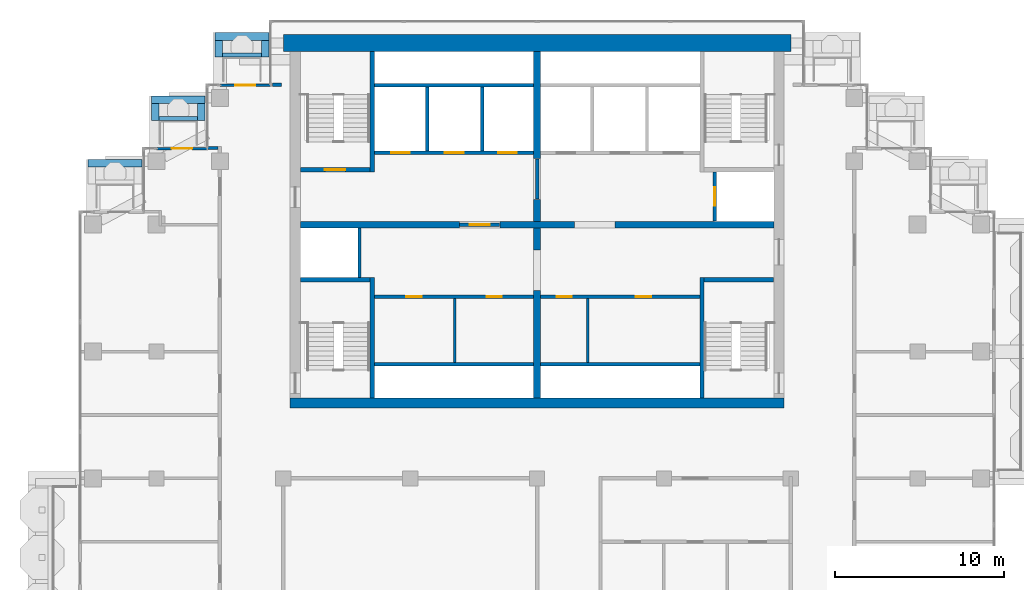
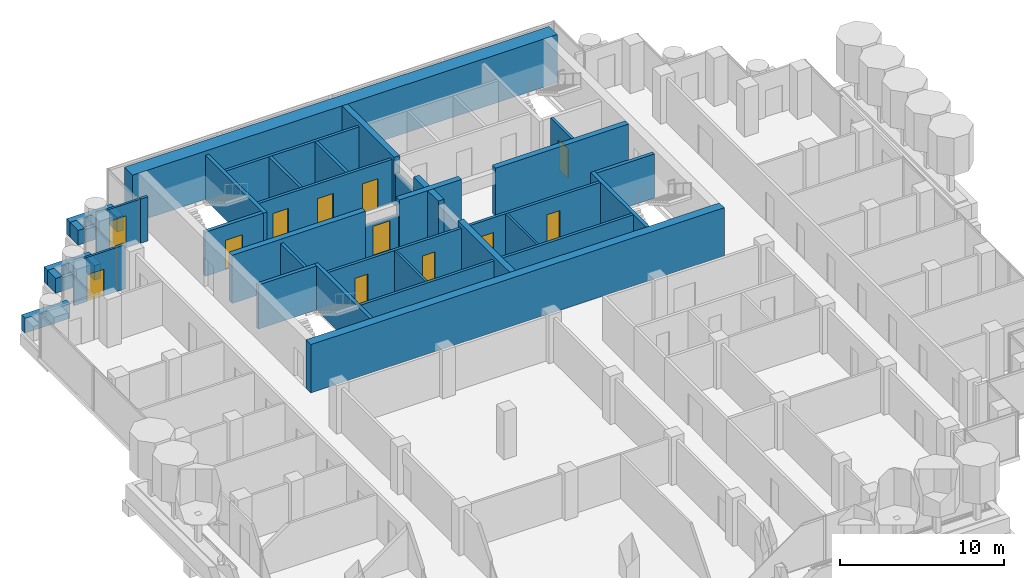
# One storey, part 13 of 19: 42 walls, 12 doors, 12 openings.
"""IFC4 building model written with IfcOpenShell, lengths in metres."""

from ifc_helpers import new_model, si_unit, direction, frame, frame_2d, origin, place, context, subcontext, project, spatial, rectangle, extrude, material, layer, layer_set, type_object, element, fill, save


model = new_model("IFC4")

# Units and contexts
model_context = context("Model", 3, precision=1e-05, world=origin(), true_north=direction((0.0, 1.0)))
body_context = subcontext(model_context, "Body", "Model", "MODEL_VIEW")
ifc_project = project(units=[si_unit("LENGTHUNIT", "METRE"), si_unit("AREAUNIT", "SQUARE_METRE"), si_unit("VOLUMEUNIT", "CUBIC_METRE"), si_unit("PLANEANGLEUNIT", "RADIAN"), si_unit("MASSUNIT", "GRAM", prefix="KILO")], contexts=[model_context])

# Site, building, storey
site_placement = place(None, origin())
site = spatial("IfcSite", under=ifc_project, at=site_placement, CompositionType="ELEMENT")
building_placement = place(site_placement, origin())
building = spatial("IfcBuilding", under=site, at=building_placement, Name="Pilkhan Gate Tower", CompositionType="ELEMENT")
storey_placement = place(building_placement, frame((0.0, 0.0, 217.5)))
storey = spatial("IfcBuildingStorey", under=building, at=storey_placement, Name="L56", CompositionType="ELEMENT", Elevation=217.5)

# Walls
ifc_material_1 = material(Name="Concrete C40/50", Category="concrete")
ifc_layer_1 = layer(ifc_material_1, 0.25)
ifc_layer_set_1 = layer_set([ifc_layer_1], Name="Balcony planter BP250")
wall_type_1 = type_object("IfcWallType", Name="Balcony planter BP250", PredefinedType="USERDEFINED", material=ifc_layer_set_1)
wall_1_placement = place(storey_placement, frame((56.39990234375, 92.52490234375, 0.0), z_axis=(0.0, 0.0, 1.0), x_axis=(1.0, 0.0, 0.0)))
element("IfcWall", 1, at=wall_1_placement, inside=storey, type_object=wall_type_1, Name="Balcony planter L56 N", ObjectType="BALCONY PLANTER", PredefinedType="USERDEFINED", context=body_context, shape_type="SweptSolid", body=[
    extrude(rectangle(XDim=2.300048828125, YDim=0.25, at=frame_2d((1.14990234375, 0.0))), origin(), (0.0, 0.0, 1.0), 1.0),
])
wall_2_placement = place(storey_placement, frame((52.64990234375, 88.77490234375, 0.0), z_axis=(0.0, 0.0, 1.0), x_axis=(1.0, 0.0, 0.0)))
element("IfcWall", 2, at=wall_2_placement, inside=storey, type_object=wall_type_1, Name="Balcony planter L56 N", ObjectType="BALCONY PLANTER", PredefinedType="USERDEFINED", context=body_context, shape_type="SweptSolid", body=[
    extrude(rectangle(XDim=2.280029296875, YDim=0.25, at=frame_2d((1.14013671875, 0.0))), origin(), (0.0, 0.0, 1.0), 1.0),
])
ifc_material_2 = material(Name="Board-marked Concrete C40/50", Category="concrete")
ifc_layer_2 = layer(ifc_material_2, 0.449951171875)
ifc_layer_set_2 = layer_set([ifc_layer_2], Name="Balcony planter lip BL450")
wall_type_2 = type_object("IfcWallType", Name="Balcony planter lip BL450", PredefinedType="USERDEFINED", material=ifc_layer_set_2)
wall_3_placement = place(storey_placement, frame((55.949951171875, 93.625, 0.0), z_axis=(0.0, 0.0, 1.0), x_axis=(1.0, 0.0, 0.0)))
element("IfcWall", 3, at=wall_3_placement, inside=storey, type_object=wall_type_2, Name="Balcony planter L56 N", ObjectType="BALCONY PLANTER", PredefinedType="USERDEFINED", context=body_context, shape_type="SweptSolid", body=[
    extrude(rectangle(XDim=3.199951171875, YDim=0.449951171875, at=frame_2d((1.60009765625, 0.0))), origin(), (0.0, 0.0, 1.0), 1.10009765625),
])
for number, where, z_axis, x_axis, name in (
    (4, (56.175048828125, 92.39990234375, 0.0), (0.0, 0.0, 1.0), (0.0, 1.0, 0.0), "Balcony planter L56 N"),
    (5, (58.925048828125, 92.39990234375, 0.0), (0.0, 0.0, 1.0), (0.0, 1.0, 0.0), "Balcony planter L56 N"),
):
    element("IfcWall", number, at=place(storey_placement, frame(where, z_axis=z_axis, x_axis=x_axis)), inside=storey, type_object=wall_type_2, Name=name, ObjectType="BALCONY PLANTER", PredefinedType="USERDEFINED", context=body_context, shape_type="SweptSolid", body=[
        extrude(rectangle(XDim=1.0, YDim=0.449951171875, at=frame_2d((0.5, 0.0))), origin(), (0.0, 0.0, 1.0), 1.10009765625),
    ])
wall_4_placement = place(storey_placement, frame((52.199951171875, 89.875, 0.0), z_axis=(0.0, 0.0, 1.0), x_axis=(1.0, 0.0, 0.0)))
element("IfcWall", 6, at=wall_4_placement, inside=storey, type_object=wall_type_2, Name="Balcony planter L56 N", ObjectType="BALCONY PLANTER", PredefinedType="USERDEFINED", context=body_context, shape_type="SweptSolid", body=[
    extrude(rectangle(XDim=3.179931640625, YDim=0.449951171875, at=frame_2d((1.58984375, 0.0))), origin(), (0.0, 0.0, 1.0), 1.10009765625),
])
for number, where, z_axis, x_axis, name in (
    (7, (52.425048828125, 88.64990234375, 0.0), (0.0, 0.0, 1.0), (0.0, 1.0, 0.0), "Balcony planter L56 N"),
    (8, (55.155029296875, 88.64990234375, 0.0), (0.0, 0.0, 1.0), (0.0, 1.0, 0.0), "Balcony planter L56 N"),
):
    element("IfcWall", number, at=place(storey_placement, frame(where, z_axis=z_axis, x_axis=x_axis)), inside=storey, type_object=wall_type_2, Name=name, ObjectType="BALCONY PLANTER", PredefinedType="USERDEFINED", context=body_context, shape_type="SweptSolid", body=[
        extrude(rectangle(XDim=1.0, YDim=0.449951171875, at=frame_2d((0.5, 0.0))), origin(), (0.0, 0.0, 1.0), 1.10009765625),
    ])
wall_5_placement = place(storey_placement, frame((48.449951171875, 86.125, 0.0), z_axis=(0.0, 0.0, 1.0), x_axis=(1.0, 0.0, 0.0)))
element("IfcWall", 9, at=wall_5_placement, inside=storey, type_object=wall_type_2, Name="Balcony planter L56 N", ObjectType="BALCONY PLANTER", PredefinedType="USERDEFINED", context=body_context, shape_type="SweptSolid", body=[
    extrude(rectangle(XDim=3.179931640625, YDim=0.449951171875, at=frame_2d((1.58984375, 0.0))), origin(), (0.0, 0.0, 1.0), 1.10009765625),
])
ifc_material_3 = material(Name="Concrete C50/60", Category="concrete")
ifc_layer_3 = layer(ifc_material_3, 1.0)
ifc_layer_set_3 = layer_set([ifc_layer_3], Name="Core wall CW1000 C50/60")
wall_type_3 = type_object("IfcWallType", Name="Core wall CW1000 C50/60", PredefinedType="SHEAR", material=ifc_layer_set_3)
wall_6_placement = place(storey_placement, frame((90.0, 93.25, 0.0), z_axis=(0.0, 0.0, 1.0), x_axis=(-1.0, 0.0, 0.0)))
element("IfcWall", 10, at=wall_6_placement, inside=storey, type_object=wall_type_3, Name="Core wall N L56", PredefinedType="SHEAR", context=body_context, shape_type="SweptSolid", body=[
    extrude(rectangle(XDim=30.0, YDim=1.0, at=frame_2d((15.0, 0.0))), origin(), (0.0, 0.0, 1.0), 3.60009765625),
])
ifc_layer_4 = layer(ifc_material_3, 0.60009765625)
ifc_layer_set_4 = layer_set([ifc_layer_4], Name="Core wall CW600 C50/60")
wall_type_4 = type_object("IfcWallType", Name="Core wall CW600 C50/60", PredefinedType="SHEAR", material=ifc_layer_set_4)
wall_7_placement = place(storey_placement, frame((60.39990234375, 71.949951171875, 0.0), z_axis=(0.0, 0.0, 1.0), x_axis=(1.0, 0.0, 0.0)))
element("IfcWall", 11, at=wall_7_placement, inside=storey, type_object=wall_type_4, Name="Core wall S L56", PredefinedType="SHEAR", context=body_context, shape_type="SweptSolid", body=[
    extrude(rectangle(XDim=29.2001953125, YDim=0.60009765625, at=frame_2d((14.60009765625, 0.0))), origin(), (0.0, 0.0, 1.0), 3.60009765625),
])
ifc_material_4 = material(Name="Dense blockwork", Category="masonry")
ifc_layer_5 = layer(ifc_material_4, 0.199951171875)
ifc_layer_set_5 = layer_set([ifc_layer_5], Name="Corridor wall FW200")
wall_type_5 = type_object("IfcWallType", Name="Corridor wall FW200", PredefinedType="PARTITIONING", material=ifc_layer_set_5)
wall_8_placement = place(storey_placement, frame((55.510009765625, 87.030029296875, 0.0), z_axis=(0.0, 0.0, 1.0), x_axis=(1.0, 0.0, 0.0)))
element("IfcWall", 12, at=wall_8_placement, inside=storey, type_object=wall_type_5, Name="Partition L56", PredefinedType="PARTITIONING", context=body_context, shape_type="SweptSolid", body=[
    extrude(rectangle(XDim=0.639892578125, YDim=0.199951171875, at=frame_2d((0.31982421875, 0.0))), origin(), (0.0, 0.0, 1.0), 3.300048828125),
])
wall_9_placement = place(storey_placement, frame((59.35498046875, 90.764892578125, 0.0), z_axis=(0.0, 0.0, 1.0), x_axis=(1.0, 0.0, 0.0)))
element("IfcWall", 13, at=wall_9_placement, inside=storey, type_object=wall_type_5, Name="Partition L56", PredefinedType="PARTITIONING", context=body_context, shape_type="SweptSolid", body=[
    extrude(rectangle(XDim=0.52490234375, YDim=0.199951171875, at=frame_2d((0.262451171875, 0.0))), origin(), (0.0, 0.0, 1.0), 3.300048828125),
])

# Wall, opening, door
ifc_material_5 = material(Name="Pale anodised aluminium, clear laminated glazing", Category="aluminium")
ifc_layer_6 = layer(ifc_material_5, 0.14990234375)
ifc_layer_set_6 = layer_set([ifc_layer_6], Name="Facade infill wall IW150")
wall_type_6 = type_object("IfcWallType", Name="Facade infill wall IW150", PredefinedType="SOLIDWALL", material=ifc_layer_set_6)
wall_10_placement = place(storey_placement, frame((56.25, 90.75, 0.0), z_axis=(0.0, 0.0, 1.0), x_axis=(1.0, 0.0, 0.0)))
wall_10 = element("IfcWall", 14, at=wall_10_placement, inside=storey, type_object=wall_type_6, Name="Infill wall L56 N", PredefinedType="SOLIDWALL", context=body_context, shape_type="SweptSolid", body=[
    extrude(rectangle(XDim=3.0, YDim=0.14990234375, at=frame_2d((1.5, 0.0))), origin(), (0.0, 0.0, 1.0), 3.300048828125),
])
opening_1_placement = place(wall_10_placement, frame((0.89990234375, 0.0, 0.0)))
opening_1 = element("IfcOpeningElement", 15, at=opening_1_placement, cuts=wall_10, Name="Opening D1", PredefinedType="OPENING", context=body_context, shape_type="SweptSolid", body=[
    extrude(rectangle(XDim=1.199951171875, YDim=2.39990234375, at=frame_2d((0.60009765625, 1.199951171875))), frame((0.0, 0.0849609375, 0.0), z_axis=(0.0, -1.0, 0.0), x_axis=(1.0, 0.0, 0.0)), (0.0, 0.0, 1.0), 0.169921875),
])
ifc_material_6 = material(Name="Pale anodised aluminium, clear glazing", Category="aluminium")
door_type_1 = type_object("IfcDoorType", Name="Balcony door D1 1200x2400", OperationType="SINGLE_SWING_LEFT", PredefinedType="DOOR", material=ifc_material_6)
door_1_placement = place(opening_1_placement, origin())
door_1 = element("IfcDoor", 16, at=door_1_placement, inside=storey, type_object=door_type_1, Name="Balcony door L56", OperationType="SINGLE_SWING_LEFT", OverallHeight=2.39990234375, OverallWidth=1.199951171875, PredefinedType="DOOR", context=body_context, shape_type="SweptSolid", body=[
    extrude(rectangle(XDim=1.199951171875, YDim=2.39990234375, at=frame_2d((0.60009765625, 1.199951171875))), frame((0.0, 0.02490234375, 0.0), z_axis=(0.0, -1.0, 0.0), x_axis=(1.0, 0.0, 0.0)), (0.0, 0.0, 1.0), 0.050048828125),
])
fill(opening_1, door_1)

wall_11_placement = place(storey_placement, frame((52.5, 87.0, 0.0), z_axis=(0.0, 0.0, 1.0), x_axis=(1.0, 0.0, 0.0)))
wall_11 = element("IfcWall", 17, at=wall_11_placement, inside=storey, type_object=wall_type_6, Name="Infill wall L56 N", PredefinedType="SOLIDWALL", context=body_context, shape_type="SweptSolid", body=[
    extrude(rectangle(XDim=3.0, YDim=0.14990234375, at=frame_2d((1.5, 0.0))), origin(), (0.0, 0.0, 1.0), 3.300048828125),
])
opening_2_placement = place(wall_11_placement, frame((0.89990234375, 0.0, 0.0)))
opening_2 = element("IfcOpeningElement", 18, at=opening_2_placement, cuts=wall_11, Name="Opening D1L", PredefinedType="OPENING", context=body_context, shape_type="SweptSolid", body=[
    extrude(rectangle(XDim=1.199951171875, YDim=2.0, at=frame_2d((0.60009765625, 1.0))), frame((0.0, 0.0849609375, 0.0), z_axis=(0.0, -1.0, 0.0), x_axis=(1.0, 0.0, 0.0)), (0.0, 0.0, 1.0), 0.169921875),
])
door_type_2 = type_object("IfcDoorType", Name="Balcony door D1L 1200x2000", OperationType="SINGLE_SWING_LEFT", PredefinedType="DOOR", material=ifc_material_6)
door_2_placement = place(opening_2_placement, origin())
door_2 = element("IfcDoor", 19, at=door_2_placement, inside=storey, type_object=door_type_2, Name="Balcony door L56", OperationType="SINGLE_SWING_LEFT", OverallHeight=2.0, OverallWidth=1.199951171875, PredefinedType="DOOR", context=body_context, shape_type="SweptSolid", body=[
    extrude(rectangle(XDim=1.199951171875, YDim=2.0, at=frame_2d((0.60009765625, 1.0))), frame((0.0, 0.02490234375, 0.0), z_axis=(0.0, -1.0, 0.0), x_axis=(1.0, 0.0, 0.0)), (0.0, 0.0, 1.0), 0.050048828125),
])
fill(opening_2, door_2)

# Walls
ifc_layer_7 = layer(ifc_material_4, 0.199951171875)
ifc_layer_set_7 = layer_set([ifc_layer_7], Name="Lobby wall LW200")
wall_type_7 = type_object("IfcWallType", Name="Lobby wall LW200", PredefinedType="PARTITIONING", material=ifc_layer_set_7)
for number, where, z_axis, x_axis, name in (
    (20, (65.375, 74.25, 0.0), (0.0, 0.0, 1.0), (1.0, 0.0, 0.0), "Partition L56"),
    (21, (75.2099609375, 74.25, 0.0), (0.0, 0.0, 1.0), (1.0, 0.0, 0.0), "Partition L56"),
):
    element("IfcWall", number, at=place(storey_placement, frame(where, z_axis=z_axis, x_axis=x_axis)), inside=storey, type_object=wall_type_7, Name=name, PredefinedType="PARTITIONING", context=body_context, shape_type="SweptSolid", body=[
        extrude(rectangle(XDim=9.4150390625, YDim=0.199951171875, at=frame_2d((4.70751953125, 0.0))), origin(), (0.0, 0.0, 1.0), 3.300048828125),
    ])

# Wall, openings, doors
wall_12_placement = place(storey_placement, frame((65.375, 78.25, 0.0), z_axis=(0.0, 0.0, 1.0), x_axis=(1.0, 0.0, 0.0)))
wall_12 = element("IfcWall", 22, at=wall_12_placement, inside=storey, type_object=wall_type_7, Name="Partition L56", PredefinedType="PARTITIONING", context=body_context, shape_type="SweptSolid", body=[
    extrude(rectangle(XDim=9.4150390625, YDim=0.199951171875, at=frame_2d((4.70751953125, 0.0))), origin(), (0.0, 0.0, 1.0), 3.300048828125),
])
opening_3_placement = place(wall_12_placement, frame((1.89990234375, 0.0, 0.0)))
opening_3 = element("IfcOpeningElement", 23, at=opening_3_placement, cuts=wall_12, Name="Opening L56-08", PredefinedType="OPENING", context=body_context, shape_type="SweptSolid", body=[
    extrude(rectangle(XDim=0.89990234375, YDim=2.199951171875, at=frame_2d((0.449951171875, 1.10009765625))), frame((0.0, 0.10986328125, 0.0), z_axis=(0.0, -1.0, 0.0), x_axis=(1.0, 0.0, 0.0)), (0.0, 0.0, 1.0), 0.219970703125),
])
opening_4_placement = place(wall_12_placement, frame((6.64990234375, 0.0, 0.0)))
opening_4 = element("IfcOpeningElement", 24, at=opening_4_placement, cuts=wall_12, Name="Opening L56-09", PredefinedType="OPENING", context=body_context, shape_type="SweptSolid", body=[
    extrude(rectangle(XDim=0.89990234375, YDim=2.199951171875, at=frame_2d((0.449951171875, 1.10009765625))), frame((0.0, 0.10986328125, 0.0), z_axis=(0.0, -1.0, 0.0), x_axis=(1.0, 0.0, 0.0)), (0.0, 0.0, 1.0), 0.219970703125),
])
ifc_material_7 = material(Name="Timber flush door, 60 minute fire resisting, self-closing", Category="wood")
door_type_3 = type_object("IfcDoorType", Name="Store door D05 900x2200", OperationType="SINGLE_SWING_LEFT", PredefinedType="DOOR", material=ifc_material_7)
door_3_placement = place(opening_3_placement, origin())
door_3 = element("IfcDoor", 25, at=door_3_placement, inside=storey, type_object=door_type_3, Name="Store door", OperationType="SINGLE_SWING_LEFT", OverallHeight=2.199951171875, OverallWidth=0.89990234375, PredefinedType="DOOR", context=body_context, shape_type="SweptSolid", body=[
    extrude(rectangle(XDim=0.89990234375, YDim=2.199951171875, at=frame_2d((0.449951171875, 1.10009765625))), frame((0.0, 0.02490234375, 0.0), z_axis=(0.0, -1.0, 0.0), x_axis=(1.0, 0.0, 0.0)), (0.0, 0.0, 1.0), 0.050048828125),
])
fill(opening_3, door_3)
door_4_placement = place(opening_4_placement, origin())
door_4 = element("IfcDoor", 26, at=door_4_placement, inside=storey, type_object=door_type_3, Name="Store door", OperationType="SINGLE_SWING_LEFT", OverallHeight=2.199951171875, OverallWidth=0.89990234375, PredefinedType="DOOR", context=body_context, shape_type="SweptSolid", body=[
    extrude(rectangle(XDim=0.89990234375, YDim=2.199951171875, at=frame_2d((0.449951171875, 1.10009765625))), frame((0.0, 0.02490234375, 0.0), z_axis=(0.0, -1.0, 0.0), x_axis=(1.0, 0.0, 0.0)), (0.0, 0.0, 1.0), 0.050048828125),
])
fill(opening_4, door_4)

wall_13_placement = place(storey_placement, frame((75.2099609375, 78.25, 0.0), z_axis=(0.0, 0.0, 1.0), x_axis=(1.0, 0.0, 0.0)))
wall_13 = element("IfcWall", 27, at=wall_13_placement, inside=storey, type_object=wall_type_7, Name="Partition L56", PredefinedType="PARTITIONING", context=body_context, shape_type="SweptSolid", body=[
    extrude(rectangle(XDim=9.4150390625, YDim=0.199951171875, at=frame_2d((4.70751953125, 0.0))), origin(), (0.0, 0.0, 1.0), 3.300048828125),
])
opening_5_placement = place(wall_13_placement, frame((0.949951171875, 0.0, 0.0)))
opening_5 = element("IfcOpeningElement", 28, at=opening_5_placement, cuts=wall_13, Name="Opening L56-10", PredefinedType="OPENING", context=body_context, shape_type="SweptSolid", body=[
    extrude(rectangle(XDim=0.89990234375, YDim=2.199951171875, at=frame_2d((0.449951171875, 1.10009765625))), frame((0.0, 0.10986328125, 0.0), z_axis=(0.0, -1.0, 0.0), x_axis=(1.0, 0.0, 0.0)), (0.0, 0.0, 1.0), 0.219970703125),
])
opening_6_placement = place(wall_13_placement, frame((5.6298828125, 0.0, 0.0)))
opening_6 = element("IfcOpeningElement", 29, at=opening_6_placement, cuts=wall_13, Name="Opening L56-11", PredefinedType="OPENING", context=body_context, shape_type="SweptSolid", body=[
    extrude(rectangle(XDim=0.89990234375, YDim=2.199951171875, at=frame_2d((0.449951171875, 1.10009765625))), frame((0.0, 0.10986328125, 0.0), z_axis=(0.0, -1.0, 0.0), x_axis=(1.0, 0.0, 0.0)), (0.0, 0.0, 1.0), 0.219970703125),
])
door_5_placement = place(opening_5_placement, origin())
door_5 = element("IfcDoor", 30, at=door_5_placement, inside=storey, type_object=door_type_3, Name="Store door", OperationType="SINGLE_SWING_LEFT", OverallHeight=2.199951171875, OverallWidth=0.89990234375, PredefinedType="DOOR", context=body_context, shape_type="SweptSolid", body=[
    extrude(rectangle(XDim=0.89990234375, YDim=2.199951171875, at=frame_2d((0.449951171875, 1.10009765625))), frame((0.0, 0.02490234375, 0.0), z_axis=(0.0, -1.0, 0.0), x_axis=(1.0, 0.0, 0.0)), (0.0, 0.0, 1.0), 0.050048828125),
])
fill(opening_5, door_5)
door_6_placement = place(opening_6_placement, origin())
door_6 = element("IfcDoor", 31, at=door_6_placement, inside=storey, type_object=door_type_3, Name="Store door", OperationType="SINGLE_SWING_LEFT", OverallHeight=2.199951171875, OverallWidth=0.89990234375, PredefinedType="DOOR", context=body_context, shape_type="SweptSolid", body=[
    extrude(rectangle(XDim=0.89990234375, YDim=2.199951171875, at=frame_2d((0.449951171875, 1.10009765625))), frame((0.0, 0.02490234375, 0.0), z_axis=(0.0, -1.0, 0.0), x_axis=(1.0, 0.0, 0.0)), (0.0, 0.0, 1.0), 0.050048828125),
])
fill(opening_6, door_6)

# Wall, opening, door
wall_14_placement = place(storey_placement, frame((70.409912109375, 82.5, 0.0), z_axis=(0.0, 0.0, 1.0), x_axis=(1.0, 0.0, 0.0)))
wall_14 = element("IfcWall", 32, at=wall_14_placement, inside=storey, type_object=wall_type_7, Name="Partition L56", PredefinedType="PARTITIONING", context=body_context, shape_type="SweptSolid", body=[
    extrude(rectangle(XDim=2.380126953125, YDim=0.199951171875, at=frame_2d((1.18994140625, 0.0))), origin(), (0.0, 0.0, 1.0), 2.39990234375),
])
opening_7_placement = place(wall_14_placement, frame((0.60009765625, 0.0, 0.0)))
opening_7 = element("IfcOpeningElement", 33, at=opening_7_placement, cuts=wall_14, Name="Opening L56-01", PredefinedType="OPENING", context=body_context, shape_type="SweptSolid", body=[
    extrude(rectangle(XDim=1.199951171875, YDim=2.199951171875, at=frame_2d((0.60009765625, 1.10009765625))), frame((0.0, 0.10986328125, 0.0), z_axis=(0.0, -1.0, 0.0), x_axis=(1.0, 0.0, 0.0)), (0.0, 0.0, 1.0), 0.219970703125),
])
ifc_material_8 = material(Name="Steel door, 120 minute fire resisting, self-closing", Category="steel")
door_type_4 = type_object("IfcDoorType", Name="Firefighting lobby door D10 1200x2200", OperationType="SINGLE_SWING_LEFT", PredefinedType="DOOR", material=ifc_material_8)
door_7_placement = place(opening_7_placement, origin())
door_7 = element("IfcDoor", 34, at=door_7_placement, inside=storey, type_object=door_type_4, Name="Firefighting lobby door", OperationType="SINGLE_SWING_LEFT", OverallHeight=2.199951171875, OverallWidth=1.199951171875, PredefinedType="DOOR", context=body_context, shape_type="SweptSolid", body=[
    extrude(rectangle(XDim=1.199951171875, YDim=2.199951171875, at=frame_2d((0.60009765625, 1.10009765625))), frame((0.0, 0.02490234375, 0.0), z_axis=(0.0, -1.0, 0.0), x_axis=(1.0, 0.0, 0.0)), (0.0, 0.0, 1.0), 0.050048828125),
])
fill(opening_7, door_7)

# Walls
wall_15_placement = place(storey_placement, frame((75.0, 84.010009765625, 0.0), z_axis=(0.0, 0.0, 1.0), x_axis=(0.0, 1.0, 0.0)))
element("IfcWall", 35, at=wall_15_placement, inside=storey, type_object=wall_type_7, Name="Partition L56", PredefinedType="PARTITIONING", context=body_context, shape_type="SweptSolid", body=[
    extrude(rectangle(XDim=2.3798828125, YDim=0.199951171875, at=frame_2d((1.18994140625, 0.0))), origin(), (0.0, 0.0, 1.0), 2.39990234375),
])
ifc_material_9 = material(Name="Blockwork partition, plastered both sides", Category="masonry")
ifc_layer_8 = layer(ifc_material_9, 0.14990234375)
ifc_layer_set_8 = layer_set([ifc_layer_8], Name="Partition PW150")
wall_type_8 = type_object("IfcWallType", Name="Partition PW150", PredefinedType="PARTITIONING", material=ifc_layer_set_8)
for number, where, z_axis, x_axis, name in (
    (36, (70.125, 74.35009765625, 0.0), (0.0, 0.0, 1.0), (0.0, 1.0, 0.0), "Partition L56"),
    (37, (77.989990234375, 74.35009765625, 0.0), (0.0, 0.0, 1.0), (0.0, 1.0, 0.0), "Partition L56"),
):
    element("IfcWall", number, at=place(storey_placement, frame(where, z_axis=z_axis, x_axis=x_axis)), inside=storey, type_object=wall_type_8, Name=name, PredefinedType="PARTITIONING", context=body_context, shape_type="SweptSolid", body=[
        extrude(rectangle(XDim=3.7998046875, YDim=0.14990234375, at=frame_2d((1.89990234375, 0.0))), origin(), (0.0, 0.0, 1.0), 3.300048828125),
    ])

# Wall, openings, doors
ifc_material_10 = material(Name="Reinforced blockwork shaft wall, 120 minute fire resisting", Category="masonry")
ifc_layer_9 = layer(ifc_material_10, 0.199951171875)
ifc_layer_set_9 = layer_set([ifc_layer_9], Name="Shaft wall SW200")
wall_type_9 = type_object("IfcWallType", Name="Shaft wall SW200", PredefinedType="PARTITIONING", material=ifc_layer_set_9)
wall_16_placement = place(storey_placement, frame((65.375, 86.75, 0.0), z_axis=(0.0, 0.0, 1.0), x_axis=(1.0, 0.0, 0.0)))
wall_16 = element("IfcWall", 38, at=wall_16_placement, inside=storey, type_object=wall_type_9, Name="Partition L56", PredefinedType="PARTITIONING", context=body_context, shape_type="SweptSolid", body=[
    extrude(rectangle(XDim=9.4150390625, YDim=0.199951171875, at=frame_2d((4.70751953125, 0.0))), origin(), (0.0, 0.0, 1.0), 3.300048828125),
])
opening_8_placement = place(wall_16_placement, frame((1.0, 0.0, 0.0)))
opening_8 = element("IfcOpeningElement", 39, at=opening_8_placement, cuts=wall_16, Name="Opening LD", PredefinedType="OPENING", context=body_context, shape_type="SweptSolid", body=[
    extrude(rectangle(XDim=1.10009765625, YDim=2.199951171875, at=frame_2d((0.550048828125, 1.10009765625))), frame((0.0, 0.10986328125, 0.0), z_axis=(0.0, -1.0, 0.0), x_axis=(1.0, 0.0, 0.0)), (0.0, 0.0, 1.0), 0.219970703125),
])
opening_9_placement = place(wall_16_placement, frame((4.175048828125, 0.0, 0.0)))
opening_9 = element("IfcOpeningElement", 40, at=opening_9_placement, cuts=wall_16, Name="Opening LD", PredefinedType="OPENING", context=body_context, shape_type="SweptSolid", body=[
    extrude(rectangle(XDim=1.10009765625, YDim=2.199951171875, at=frame_2d((0.550048828125, 1.10009765625))), frame((0.0, 0.10986328125, 0.0), z_axis=(0.0, -1.0, 0.0), x_axis=(1.0, 0.0, 0.0)), (0.0, 0.0, 1.0), 0.219970703125),
])
opening_10_placement = place(wall_16_placement, frame((7.324951171875, 0.0, 0.0)))
opening_10 = element("IfcOpeningElement", 41, at=opening_10_placement, cuts=wall_16, Name="Opening LD", PredefinedType="OPENING", context=body_context, shape_type="SweptSolid", body=[
    extrude(rectangle(XDim=1.10009765625, YDim=2.199951171875, at=frame_2d((0.550048828125, 1.10009765625))), frame((0.0, 0.10986328125, 0.0), z_axis=(0.0, -1.0, 0.0), x_axis=(1.0, 0.0, 0.0)), (0.0, 0.0, 1.0), 0.219970703125),
])
ifc_material_11 = material(Name="Stainless steel centre-opening landing door, 120 minute fire resisting", Category="steel")
door_type_5 = type_object("IfcDoorType", Name="Lift landing door LD 1100x2200", OperationType="DOUBLE_DOOR_SLIDING", PredefinedType="DOOR", material=ifc_material_11)
door_8_placement = place(opening_8_placement, origin())
door_8 = element("IfcDoor", 42, at=door_8_placement, inside=storey, type_object=door_type_5, Name="Landing door FF1", OperationType="DOUBLE_DOOR_SLIDING", OverallHeight=2.199951171875, OverallWidth=1.10009765625, PredefinedType="DOOR", context=body_context, shape_type="SweptSolid", body=[
    extrude(rectangle(XDim=1.10009765625, YDim=2.199951171875, at=frame_2d((0.550048828125, 1.10009765625))), frame((0.0, 0.02490234375, 0.0), z_axis=(0.0, -1.0, 0.0), x_axis=(1.0, 0.0, 0.0)), (0.0, 0.0, 1.0), 0.050048828125),
])
fill(opening_8, door_8)
door_9_placement = place(opening_9_placement, origin())
door_9 = element("IfcDoor", 43, at=door_9_placement, inside=storey, type_object=door_type_5, Name="Landing door FF2", OperationType="DOUBLE_DOOR_SLIDING", OverallHeight=2.199951171875, OverallWidth=1.10009765625, PredefinedType="DOOR", context=body_context, shape_type="SweptSolid", body=[
    extrude(rectangle(XDim=1.10009765625, YDim=2.199951171875, at=frame_2d((0.550048828125, 1.10009765625))), frame((0.0, 0.02490234375, 0.0), z_axis=(0.0, -1.0, 0.0), x_axis=(1.0, 0.0, 0.0)), (0.0, 0.0, 1.0), 0.050048828125),
])
fill(opening_9, door_9)
door_10_placement = place(opening_10_placement, origin())
door_10 = element("IfcDoor", 44, at=door_10_placement, inside=storey, type_object=door_type_5, Name="Landing door SV1", OperationType="DOUBLE_DOOR_SLIDING", OverallHeight=2.199951171875, OverallWidth=1.10009765625, PredefinedType="DOOR", context=body_context, shape_type="SweptSolid", body=[
    extrude(rectangle(XDim=1.10009765625, YDim=2.199951171875, at=frame_2d((0.550048828125, 1.10009765625))), frame((0.0, 0.02490234375, 0.0), z_axis=(0.0, -1.0, 0.0), x_axis=(1.0, 0.0, 0.0)), (0.0, 0.0, 1.0), 0.050048828125),
])
fill(opening_10, door_10)

# Walls
wall_17_placement = place(storey_placement, frame((65.375, 90.75, 0.0), z_axis=(0.0, 0.0, 1.0), x_axis=(1.0, 0.0, 0.0)))
element("IfcWall", 45, at=wall_17_placement, inside=storey, type_object=wall_type_9, Name="Partition L56", PredefinedType="PARTITIONING", context=body_context, shape_type="SweptSolid", body=[
    extrude(rectangle(XDim=9.4150390625, YDim=0.199951171875, at=frame_2d((4.70751953125, 0.0))), origin(), (0.0, 0.0, 1.0), 3.300048828125),
])
wall_18_placement = place(storey_placement, frame((64.5, 79.375, 0.0), z_axis=(0.0, 0.0, 1.0), x_axis=(0.0, 1.0, 0.0)))
element("IfcWall", 46, at=wall_18_placement, inside=storey, type_object=wall_type_9, Name="Partition L56", PredefinedType="PARTITIONING", context=body_context, shape_type="SweptSolid", body=[
    extrude(rectangle(XDim=2.9150390625, YDim=0.199951171875, at=frame_2d((1.45751953125, 0.0))), origin(), (0.0, 0.0, 1.0), 3.300048828125),
])
for number, where, z_axis, x_axis, name in (
    (47, (68.5, 86.85009765625, 0.0), (0.0, 0.0, 1.0), (0.0, 1.0, 0.0), "Partition L56"),
    (48, (71.75, 86.85009765625, 0.0), (0.0, 0.0, 1.0), (0.0, 1.0, 0.0), "Partition L56"),
):
    element("IfcWall", number, at=place(storey_placement, frame(where, z_axis=z_axis, x_axis=x_axis)), inside=storey, type_object=wall_type_9, Name=name, PredefinedType="PARTITIONING", context=body_context, shape_type="SweptSolid", body=[
        extrude(rectangle(XDim=3.7998046875, YDim=0.199951171875, at=frame_2d((1.89990234375, 0.0))), origin(), (0.0, 0.0, 1.0), 3.300048828125),
    ])

# Wall, opening, door
wall_19_placement = place(storey_placement, frame((85.5, 82.7099609375, 0.0), z_axis=(0.0, 0.0, 1.0), x_axis=(0.0, 1.0, 0.0)))
wall_19 = element("IfcWall", 49, at=wall_19_placement, inside=storey, type_object=wall_type_9, Name="Partition L56", PredefinedType="PARTITIONING", context=body_context, shape_type="SweptSolid", body=[
    extrude(rectangle(XDim=2.9150390625, YDim=0.199951171875, at=frame_2d((1.45751953125, 0.0))), origin(), (0.0, 0.0, 1.0), 3.300048828125),
])
opening_11_placement = place(wall_19_placement, frame((0.89990234375, 0.0, 0.0)))
opening_11 = element("IfcOpeningElement", 50, at=opening_11_placement, cuts=wall_19, Name="Opening LD", PredefinedType="OPENING", context=body_context, shape_type="SweptSolid", body=[
    extrude(rectangle(XDim=1.10009765625, YDim=2.199951171875, at=frame_2d((0.550048828125, 1.10009765625))), frame((0.0, 0.10986328125, 0.0), z_axis=(0.0, -1.0, 0.0), x_axis=(1.0, 0.0, 0.0)), (0.0, 0.0, 1.0), 0.219970703125),
])
door_11_placement = place(opening_11_placement, origin())
door_11 = element("IfcDoor", 51, at=door_11_placement, inside=storey, type_object=door_type_5, Name="Landing door HR4", OperationType="DOUBLE_DOOR_SLIDING", OverallHeight=2.199951171875, OverallWidth=1.10009765625, PredefinedType="DOOR", context=body_context, shape_type="SweptSolid", body=[
    extrude(rectangle(XDim=1.10009765625, YDim=2.199951171875, at=frame_2d((0.550048828125, 1.10009765625))), frame((0.0, 0.02490234375, 0.0), z_axis=(0.0, -1.0, 0.0), x_axis=(1.0, 0.0, 0.0)), (0.0, 0.0, 1.0), 0.050048828125),
])
fill(opening_11, door_11)

# Walls
ifc_layer_10 = layer(ifc_material_3, 0.39990234375)
ifc_layer_set_10 = layer_set([ifc_layer_10], Name="Spine wall SW400 C50/60")
wall_type_10 = type_object("IfcWallType", Name="Spine wall SW400 C50/60", PredefinedType="SHEAR", material=ifc_layer_set_10)
wall_20_placement = place(storey_placement, frame((61.0, 82.5, 0.0), z_axis=(0.0, 0.0, 1.0), x_axis=(1.0, 0.0, 0.0)))
element("IfcWall", 52, at=wall_20_placement, inside=storey, type_object=wall_type_10, Name="Spine wall SP-EW1 L56", PredefinedType="SHEAR", context=body_context, shape_type="SweptSolid", body=[
    extrude(rectangle(XDim=9.39990234375, YDim=0.39990234375, at=frame_2d((4.699951171875, 0.0))), origin(), (0.0, 0.0, 1.0), 3.60009765625),
])
wall_21_placement = place(storey_placement, frame((72.800048828125, 82.5, 0.0), z_axis=(0.0, 0.0, 1.0), x_axis=(1.0, 0.0, 0.0)))
element("IfcWall", 53, at=wall_21_placement, inside=storey, type_object=wall_type_10, Name="Spine wall SP-EW2 L56", PredefinedType="SHEAR", context=body_context, shape_type="SweptSolid", body=[
    extrude(rectangle(XDim=4.39990234375, YDim=0.39990234375, at=frame_2d((2.199951171875, 0.0))), origin(), (0.0, 0.0, 1.0), 3.60009765625),
])
wall_22_placement = place(storey_placement, frame((79.60009765625, 82.5, 0.0), z_axis=(0.0, 0.0, 1.0), x_axis=(1.0, 0.0, 0.0)))
element("IfcWall", 54, at=wall_22_placement, inside=storey, type_object=wall_type_10, Name="Spine wall SP-EW3 L56", PredefinedType="SHEAR", context=body_context, shape_type="SweptSolid", body=[
    extrude(rectangle(XDim=9.39990234375, YDim=0.39990234375, at=frame_2d((4.699951171875, 0.0))), origin(), (0.0, 0.0, 1.0), 3.60009765625),
])
wall_23_placement = place(storey_placement, frame((75.0, 72.25, 0.0), z_axis=(0.0, 0.0, 1.0), x_axis=(0.0, 1.0, 0.0)))
element("IfcWall", 55, at=wall_23_placement, inside=storey, type_object=wall_type_10, Name="Spine wall SP-NS-S1 L56", PredefinedType="SHEAR", context=body_context, shape_type="SweptSolid", body=[
    extrude(rectangle(XDim=6.35009765625, YDim=0.39990234375, at=frame_2d((3.175048828125, 0.0))), origin(), (0.0, 0.0, 1.0), 3.60009765625),
])
for number, where, z_axis, x_axis, name in (
    (56, (75.0, 81.0, 0.0), (0.0, 0.0, 1.0), (0.0, 1.0, 0.0), "Spine wall SP-NS-S2 L56"),
    (57, (75.0, 82.699951171875, 0.0), (0.0, 0.0, 1.0), (0.0, 1.0, 0.0), "Spine wall SP-NS-N1 L56"),
):
    element("IfcWall", number, at=place(storey_placement, frame(where, z_axis=z_axis, x_axis=x_axis)), inside=storey, type_object=wall_type_10, Name=name, PredefinedType="SHEAR", context=body_context, shape_type="SweptSolid", body=[
        extrude(rectangle(XDim=1.300048828125, YDim=0.39990234375, at=frame_2d((0.64990234375, 0.0))), origin(), (0.0, 0.0, 1.0), 3.60009765625),
    ])
wall_24_placement = place(storey_placement, frame((75.0, 86.39990234375, 0.0), z_axis=(0.0, 0.0, 1.0), x_axis=(0.0, 1.0, 0.0)))
element("IfcWall", 58, at=wall_24_placement, inside=storey, type_object=wall_type_10, Name="Spine wall SP-NS-N2 L56", PredefinedType="SHEAR", context=body_context, shape_type="SweptSolid", body=[
    extrude(rectangle(XDim=6.35009765625, YDim=0.39990234375, at=frame_2d((3.175048828125, 0.0))), origin(), (0.0, 0.0, 1.0), 3.60009765625),
])
ifc_material_12 = material(Name="Reinforced blockwork, 120 minute fire resisting", Category="masonry")
ifc_layer_11 = layer(ifc_material_12, 0.25)
ifc_layer_set_11 = layer_set([ifc_layer_11], Name="Stair enclosure wall SE250")
wall_type_11 = type_object("IfcWallType", Name="Stair enclosure wall SE250", PredefinedType="PARTITIONING", material=ifc_layer_set_11)
for number, where, z_axis, x_axis, name in (
    (59, (61.010009765625, 79.25, 0.0), (0.0, 0.0, 1.0), (1.0, 0.0, 0.0), "Partition L56"),
    (60, (84.875, 79.25, 0.0), (0.0, 0.0, 1.0), (1.0, 0.0, 0.0), "Partition L56"),
):
    element("IfcWall", number, at=place(storey_placement, frame(where, z_axis=z_axis, x_axis=x_axis)), inside=storey, type_object=wall_type_11, Name=name, PredefinedType="PARTITIONING", context=body_context, shape_type="SweptSolid", body=[
        extrude(rectangle(XDim=4.114990234375, YDim=0.25, at=frame_2d((2.0576171875, 0.0))), origin(), (0.0, 0.0, 1.0), 3.300048828125),
    ])

# Wall, opening, door
wall_25_placement = place(storey_placement, frame((61.010009765625, 85.75, 0.0), z_axis=(0.0, 0.0, 1.0), x_axis=(1.0, 0.0, 0.0)))
wall_25 = element("IfcWall", 61, at=wall_25_placement, inside=storey, type_object=wall_type_11, Name="Partition L56", PredefinedType="PARTITIONING", context=body_context, shape_type="SweptSolid", body=[
    extrude(rectangle(XDim=4.114990234375, YDim=0.25, at=frame_2d((2.0576171875, 0.0))), origin(), (0.0, 0.0, 1.0), 3.300048828125),
])
opening_12_placement = place(wall_25_placement, frame((1.449951171875, 0.0, 0.0)))
opening_12 = element("IfcOpeningElement", 62, at=opening_12_placement, cuts=wall_25, Name="Opening L56-02", PredefinedType="OPENING", context=body_context, shape_type="SweptSolid", body=[
    extrude(rectangle(XDim=1.199951171875, YDim=2.199951171875, at=frame_2d((0.60009765625, 1.10009765625))), frame((0.0, 0.135009765625, 0.0), z_axis=(0.0, -1.0, 0.0), x_axis=(1.0, 0.0, 0.0)), (0.0, 0.0, 1.0), 0.27001953125),
])
ifc_material_13 = material(Name="Steel door, 120 minute fire resisting, panic bar", Category="steel")
door_type_6 = type_object("IfcDoorType", Name="Stair door D11 1200x2200", OperationType="SINGLE_SWING_LEFT", PredefinedType="DOOR", material=ifc_material_13)
door_12_placement = place(opening_12_placement, origin())
door_12 = element("IfcDoor", 63, at=door_12_placement, inside=storey, type_object=door_type_6, Name="Stair ST3 lobby door", OperationType="SINGLE_SWING_LEFT", OverallHeight=2.199951171875, OverallWidth=1.199951171875, PredefinedType="DOOR", context=body_context, shape_type="SweptSolid", body=[
    extrude(rectangle(XDim=1.199951171875, YDim=2.199951171875, at=frame_2d((0.60009765625, 1.10009765625))), frame((0.0, 0.02490234375, 0.0), z_axis=(0.0, -1.0, 0.0), x_axis=(1.0, 0.0, 0.0)), (0.0, 0.0, 1.0), 0.050048828125),
])
fill(opening_12, door_12)

# Walls
for number, where, z_axis, x_axis, name in (
    (64, (65.25, 72.260009765625, 0.0), (0.0, 0.0, 1.0), (0.0, 1.0, 0.0), "Partition L56"),
    (65, (65.25, 85.625, 0.0), (0.0, 0.0, 1.0), (0.0, 1.0, 0.0), "Partition L56"),
    (66, (84.75, 72.260009765625, 0.0), (0.0, 0.0, 1.0), (0.0, 1.0, 0.0), "Partition L56"),
):
    element("IfcWall", number, at=place(storey_placement, frame(where, z_axis=z_axis, x_axis=x_axis)), inside=storey, type_object=wall_type_11, Name=name, PredefinedType="PARTITIONING", context=body_context, shape_type="SweptSolid", body=[
        extrude(rectangle(XDim=7.114990234375, YDim=0.25, at=frame_2d((3.5576171875, 0.0))), origin(), (0.0, 0.0, 1.0), 3.300048828125),
    ])

save(model, "model.ifc")
